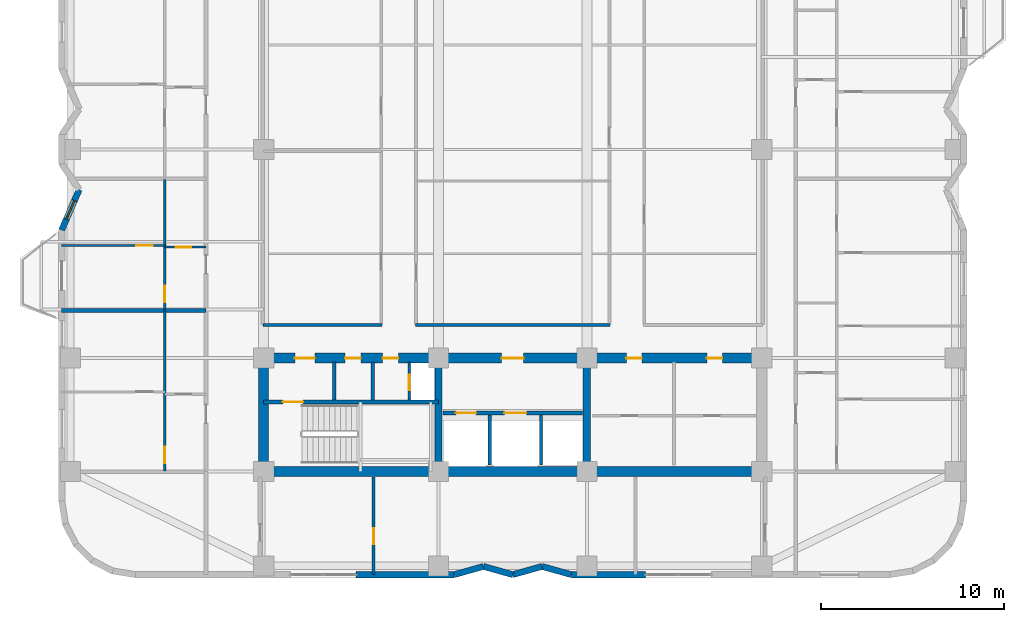
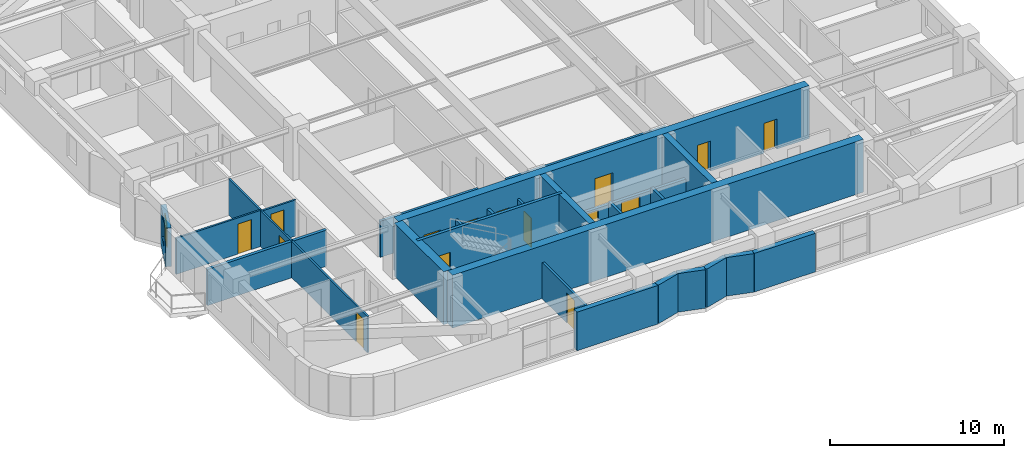
# One storey, part 8 of 15: 27 walls, 15 doors, 1 window, 16 openings.
"""IFC4 building model written with IfcOpenShell, lengths in metres."""

from ifc_helpers import new_model, si_unit, direction, frame, frame_2d, origin, place, context, subcontext, project, spatial, rectangle, extrude, material, layer, layer_set, type_object, element, fill, save


model = new_model("IFC4")

# Units and contexts
model_context = context("Model", 3, precision=1e-05, world=origin(), true_north=direction((0.0, 1.0)))
body_context = subcontext(model_context, "Body", "Model", "MODEL_VIEW")
ifc_project = project(units=[si_unit("LENGTHUNIT", "METRE"), si_unit("AREAUNIT", "SQUARE_METRE"), si_unit("VOLUMEUNIT", "CUBIC_METRE"), si_unit("PLANEANGLEUNIT", "RADIAN"), si_unit("MASSUNIT", "GRAM", prefix="KILO")], contexts=[model_context])

# Site, building, storey
site_placement = place(None, origin())
site = spatial("IfcSite", under=ifc_project, at=site_placement, CompositionType="ELEMENT")
building_placement = place(site_placement, origin())
building = spatial("IfcBuilding", under=site, at=building_placement, Name="Svetorya Sky Lyceum", CompositionType="ELEMENT")
storey_placement = place(building_placement, frame((0.0, 0.0, 99.39990234375)))
storey = spatial("IfcBuildingStorey", under=building, at=storey_placement, Name="L24", CompositionType="ELEMENT", Elevation=99.39990234375)

# Walls
ifc_material_1 = material(Name="Concrete C40/50", Category="concrete")
ifc_layer_1 = layer(ifc_material_1, 0.39990234375)
ifc_layer_set_1 = layer_set([ifc_layer_1], Name="Concrete C40/50")
wall_type_1 = type_object("IfcWallType", Name="WL-CORE-400", PredefinedType="SHEAR", material=ifc_layer_set_1)
for number, where, z_axis, x_axis, name in (
    (1, (35.14990234375, 10.875, 0.0), (0.0, 0.0, 1.0), (0.0, 1.0, 0.0), "L24 SC Internal Shear Web WEB1"),
    (2, (43.25, 10.875, 0.0), (0.0, 0.0, 1.0), (0.0, 1.0, 0.0), "L24 SC Internal Shear Web WEB2"),
):
    element("IfcWall", number, at=place(storey_placement, frame(where, z_axis=z_axis, x_axis=x_axis)), inside=storey, type_object=wall_type_1, Name=name, PredefinedType="SHEAR", context=body_context, shape_type="SweptSolid", body=[
        extrude(rectangle(XDim=5.64990234375, YDim=0.39990234375, at=frame_2d((2.824951171875, 0.0))), origin(), (0.0, 0.0, 1.0), 3.7001953125),
    ])
ifc_material_2 = material(Name="Concrete C60/75", Category="concrete")
ifc_layer_2 = layer(ifc_material_2, 0.550048828125)
ifc_layer_set_2 = layer_set([ifc_layer_2], Name="Concrete C60/75")
wall_type_2 = type_object("IfcWallType", Name="WL-CORE-550", PredefinedType="SHEAR", material=ifc_layer_set_2)
wall_1_placement = place(storey_placement, frame((52.800048828125, 10.60009765625, 0.0), z_axis=(0.0, 0.0, 1.0), x_axis=(-1.0, 0.0, 0.0)))
element("IfcWall", 3, at=wall_1_placement, inside=storey, type_object=wall_type_2, Name="L24 SC Outer Core Shear Wall", PredefinedType="SHEAR", context=body_context, shape_type="SweptSolid", body=[
    extrude(rectangle(XDim=27.199951171875, YDim=0.550048828125, at=frame_2d((13.60009765625, 0.0))), origin(), (0.0, 0.0, 1.0), 3.7001953125),
])
wall_2_placement = place(storey_placement, frame((25.60009765625, 10.875, 0.0), z_axis=(0.0, 0.0, 1.0), x_axis=(0.0, 1.0, 0.0)))
element("IfcWall", 4, at=wall_2_placement, inside=storey, type_object=wall_type_2, Name="L24 SC West Core Shear Wall", PredefinedType="SHEAR", context=body_context, shape_type="SweptSolid", body=[
    extrude(rectangle(XDim=5.64990234375, YDim=0.550048828125, at=frame_2d((2.824951171875, 0.0))), origin(), (0.0, 0.0, 1.0), 3.7001953125),
])

# Wall, openings, doors
wall_3_placement = place(storey_placement, frame((25.60009765625, 16.800048828125, 0.0), z_axis=(0.0, 0.0, 1.0), x_axis=(1.0, 0.0, 0.0)))
wall_3 = element("IfcWall", 5, at=wall_3_placement, inside=storey, type_object=wall_type_2, Name="L24 SC Inner Core Shear Wall", PredefinedType="SHEAR", context=body_context, shape_type="SweptSolid", body=[
    extrude(rectangle(XDim=27.199951171875, YDim=0.550048828125, at=frame_2d((13.60009765625, 0.0))), origin(), (0.0, 0.0, 1.0), 3.7001953125),
])
opening_1_placement = place(wall_3_placement, frame((1.699951171875, 0.0, 0.0)))
opening_1 = element("IfcOpeningElement", 6, at=opening_1_placement, cuts=wall_3, Name="Opening D-ST1", PredefinedType="OPENING", context=body_context, shape_type="SweptSolid", body=[
    extrude(rectangle(XDim=1.10009765625, YDim=2.14990234375, at=frame_2d((0.550048828125, 1.074951171875))), frame((0.0, 0.284912109375, 0.0), z_axis=(0.0, -1.0, 0.0), x_axis=(1.0, 0.0, 0.0)), (0.0, 0.0, 1.0), 0.570068359375),
])
opening_2_placement = place(wall_3_placement, frame((4.449951171875, 0.0, 0.0)))
opening_2 = element("IfcOpeningElement", 7, at=opening_2_placement, cuts=wall_3, Name="Opening D-CWC1", PredefinedType="OPENING", context=body_context, shape_type="SweptSolid", body=[
    extrude(rectangle(XDim=0.85009765625, YDim=2.10009765625, at=frame_2d((0.425048828125, 1.050048828125))), frame((0.0, 0.284912109375, 0.0), z_axis=(0.0, -1.0, 0.0), x_axis=(1.0, 0.0, 0.0)), (0.0, 0.0, 1.0), 0.570068359375),
])
opening_3_placement = place(wall_3_placement, frame((6.5, 0.0, 0.0)))
opening_3 = element("IfcOpeningElement", 8, at=opening_3_placement, cuts=wall_3, Name="Opening D-CWC1", PredefinedType="OPENING", context=body_context, shape_type="SweptSolid", body=[
    extrude(rectangle(XDim=0.85009765625, YDim=2.10009765625, at=frame_2d((0.425048828125, 1.050048828125))), frame((0.0, 0.284912109375, 0.0), z_axis=(0.0, -1.0, 0.0), x_axis=(1.0, 0.0, 0.0)), (0.0, 0.0, 1.0), 0.570068359375),
])
opening_4_placement = place(wall_3_placement, frame((13.0, 0.0, 0.0)))
opening_4 = element("IfcOpeningElement", 9, at=opening_4_placement, cuts=wall_3, Name="Opening D-FL1", PredefinedType="OPENING", context=body_context, shape_type="SweptSolid", body=[
    extrude(rectangle(XDim=1.199951171875, YDim=2.14990234375, at=frame_2d((0.60009765625, 1.074951171875))), frame((0.0, 0.284912109375, 0.0), z_axis=(0.0, -1.0, 0.0), x_axis=(1.0, 0.0, 0.0)), (0.0, 0.0, 1.0), 0.570068359375),
])
opening_5_placement = place(wall_3_placement, frame((19.800048828125, 0.0, 0.0)))
opening_5 = element("IfcOpeningElement", 10, at=opening_5_placement, cuts=wall_3, Name="Opening D-CWC1", PredefinedType="OPENING", context=body_context, shape_type="SweptSolid", body=[
    extrude(rectangle(XDim=0.85009765625, YDim=2.10009765625, at=frame_2d((0.425048828125, 1.050048828125))), frame((0.0, 0.284912109375, 0.0), z_axis=(0.0, -1.0, 0.0), x_axis=(1.0, 0.0, 0.0)), (0.0, 0.0, 1.0), 0.570068359375),
])
opening_6_placement = place(wall_3_placement, frame((24.199951171875, 0.0, 0.0)))
opening_6 = element("IfcOpeningElement", 11, at=opening_6_placement, cuts=wall_3, Name="Opening D-CWC1", PredefinedType="OPENING", context=body_context, shape_type="SweptSolid", body=[
    extrude(rectangle(XDim=0.85009765625, YDim=2.10009765625, at=frame_2d((0.425048828125, 1.050048828125))), frame((0.0, 0.284912109375, 0.0), z_axis=(0.0, -1.0, 0.0), x_axis=(1.0, 0.0, 0.0)), (0.0, 0.0, 1.0), 0.570068359375),
])
ifc_material_3 = material(Name="Fire-rated galvanized steel core service closet door", Category="steel")
door_type_1 = type_object("IfcDoorType", Name="DR-CWET-850", OperationType="SINGLE_SWING_LEFT", PredefinedType="DOOR", material=ifc_material_3)
door_1_placement = place(opening_2_placement, origin())
door_1 = element("IfcDoor", 12, at=door_1_placement, inside=storey, type_object=door_type_1, Name="L24 South Mop Closet Door", OperationType="SINGLE_SWING_LEFT", OverallHeight=2.10009765625, OverallWidth=0.85009765625, PredefinedType="DOOR", context=body_context, shape_type="SweptSolid", body=[
    extrude(rectangle(XDim=0.85009765625, YDim=2.10009765625, at=frame_2d((0.425048828125, 1.050048828125))), frame((0.0, 0.02490234375, 0.0), z_axis=(0.0, -1.0, 0.0), x_axis=(1.0, 0.0, 0.0)), (0.0, 0.0, 1.0), 0.050048828125),
])
fill(opening_2, door_1)
door_2_placement = place(opening_3_placement, origin())
door_2 = element("IfcDoor", 13, at=door_2_placement, inside=storey, type_object=door_type_1, Name="L24 South West WC Door", OperationType="SINGLE_SWING_RIGHT", OverallHeight=2.10009765625, OverallWidth=0.85009765625, PredefinedType="DOOR", context=body_context, shape_type="SweptSolid", body=[
    extrude(rectangle(XDim=0.85009765625, YDim=2.10009765625, at=frame_2d((0.425048828125, 1.050048828125))), frame((0.0, 0.02490234375, 0.0), z_axis=(0.0, -1.0, 0.0), x_axis=(1.0, 0.0, 0.0)), (0.0, 0.0, 1.0), 0.050048828125),
])
fill(opening_3, door_2)
door_3_placement = place(opening_5_placement, origin())
door_3 = element("IfcDoor", 14, at=door_3_placement, inside=storey, type_object=door_type_1, Name="L24 Housekeeping Door", OperationType="SINGLE_SWING_LEFT", OverallHeight=2.10009765625, OverallWidth=0.85009765625, PredefinedType="DOOR", context=body_context, shape_type="SweptSolid", body=[
    extrude(rectangle(XDim=0.85009765625, YDim=2.10009765625, at=frame_2d((0.425048828125, 1.050048828125))), frame((0.0, 0.02490234375, 0.0), z_axis=(0.0, -1.0, 0.0), x_axis=(1.0, 0.0, 0.0)), (0.0, 0.0, 1.0), 0.050048828125),
])
fill(opening_5, door_3)
door_4_placement = place(opening_6_placement, origin())
door_4 = element("IfcDoor", 15, at=door_4_placement, inside=storey, type_object=door_type_1, Name="L24 South WC Door", OperationType="SINGLE_SWING_RIGHT", OverallHeight=2.10009765625, OverallWidth=0.85009765625, PredefinedType="DOOR", context=body_context, shape_type="SweptSolid", body=[
    extrude(rectangle(XDim=0.85009765625, YDim=2.10009765625, at=frame_2d((0.425048828125, 1.050048828125))), frame((0.0, 0.02490234375, 0.0), z_axis=(0.0, -1.0, 0.0), x_axis=(1.0, 0.0, 0.0)), (0.0, 0.0, 1.0), 0.050048828125),
])
fill(opening_6, door_4)
ifc_material_4 = material(Name="Powder-coated insulated galvanized stair fire door")
door_type_2 = type_object("IfcDoorType", Name="DR-FIRE-1100", OperationType="SINGLE_SWING_LEFT", PredefinedType="DOOR", material=ifc_material_4)
door_5_placement = place(opening_1_placement, origin())
door_5 = element("IfcDoor", 16, at=door_5_placement, inside=storey, type_object=door_type_2, Name="L24 South Stair Airlock Door", OperationType="SINGLE_SWING_RIGHT", OverallHeight=2.14990234375, OverallWidth=1.10009765625, PredefinedType="DOOR", context=body_context, shape_type="SweptSolid", body=[
    extrude(rectangle(XDim=1.10009765625, YDim=2.14990234375, at=frame_2d((0.550048828125, 1.074951171875))), frame((0.0, 0.02490234375, 0.0), z_axis=(0.0, -1.0, 0.0), x_axis=(1.0, 0.0, 0.0)), (0.0, 0.0, 1.0), 0.050048828125),
])
fill(opening_1, door_5)
ifc_material_5 = material(Name="Powder-coated insulated galvanized fire door")
door_type_3 = type_object("IfcDoorType", Name="DR-FIRE-1200", OperationType="SINGLE_SWING_LEFT", PredefinedType="DOOR", material=ifc_material_5)
door_6_placement = place(opening_4_placement, origin())
door_6 = element("IfcDoor", 17, at=door_6_placement, inside=storey, type_object=door_type_3, Name="L24 South Firefighting Lift Lobby Door", OperationType="SINGLE_SWING_LEFT", OverallHeight=2.14990234375, OverallWidth=1.199951171875, PredefinedType="DOOR", context=body_context, shape_type="SweptSolid", body=[
    extrude(rectangle(XDim=1.199951171875, YDim=2.14990234375, at=frame_2d((0.60009765625, 1.074951171875))), frame((0.0, 0.02490234375, 0.0), z_axis=(0.0, -1.0, 0.0), x_axis=(1.0, 0.0, 0.0)), (0.0, 0.0, 1.0), 0.050048828125),
])
fill(opening_4, door_6)

# Walls
ifc_material_6 = material(Name="Putilovo limestone rainscreen on autoclaved cellular masonry", Category="masonry")
ifc_layer_3 = layer(ifc_material_6, 0.340087890625)
ifc_layer_set_3 = layer_set([ifc_layer_3], Name="Putilovo limestone rainscreen on autoclaved cellular masonry")
wall_type_3 = type_object("IfcWallType", Name="WL-EXT-340", PredefinedType="SOLIDWALL", material=ifc_layer_set_3)
wall_4_placement = place(storey_placement, frame((30.64990234375, 4.969970703125, 0.0), z_axis=(0.0, 0.0, 1.0), x_axis=(1.0, 0.0, 0.0)))
element("IfcWall", 18, at=wall_4_placement, inside=storey, type_object=wall_type_3, Name="L24 Limestone Exterior Wall 6B", PredefinedType="SOLIDWALL", context=body_context, shape_type="SweptSolid", body=[
    extrude(rectangle(XDim=5.35009765625, YDim=0.340087890625, at=frame_2d((2.675048828125, 0.0))), origin(), (0.0, 0.0, 1.0), 2.7001953125),
])
wall_5_placement = place(storey_placement, frame((36.0, 4.969970703125, 0.0), z_axis=(0.0, 0.0, 1.0), x_axis=(0.962662902433, 0.270703040766, 0.0)))
element("IfcWall", 19, at=wall_5_placement, inside=storey, type_object=wall_type_3, Name="L24 Limestone Exterior Wall 7M", PredefinedType="SOLIDWALL", context=body_context, shape_type="SweptSolid", body=[
    extrude(rectangle(XDim=1.662109375, YDim=0.340087890625, at=frame_2d((0.8310546875, 0.0))), origin(), (0.0, 0.0, 1.0), 2.7001953125),
])
wall_6_placement = place(storey_placement, frame((37.60009765625, 5.419921875, 0.0), z_axis=(0.0, 0.0, 1.0), x_axis=(0.962652136636, -0.270741322725, 0.0)))
element("IfcWall", 20, at=wall_6_placement, inside=storey, type_object=wall_type_3, Name="L24 Limestone Exterior Wall 8M", PredefinedType="SOLIDWALL", context=body_context, shape_type="SweptSolid", body=[
    extrude(rectangle(XDim=1.661865234375, YDim=0.340087890625, at=frame_2d((0.8310546875, 0.0))), origin(), (0.0, 0.0, 1.0), 2.7001953125),
])
wall_7_placement = place(storey_placement, frame((39.199951171875, 4.969970703125, 0.0), z_axis=(0.0, 0.0, 1.0), x_axis=(0.962662902433, 0.270703040766, 0.0)))
element("IfcWall", 21, at=wall_7_placement, inside=storey, type_object=wall_type_3, Name="L24 Limestone Exterior Wall 9M", PredefinedType="SOLIDWALL", context=body_context, shape_type="SweptSolid", body=[
    extrude(rectangle(XDim=1.662109375, YDim=0.340087890625, at=frame_2d((0.8310546875, 0.0))), origin(), (0.0, 0.0, 1.0), 2.7001953125),
])
wall_8_placement = place(storey_placement, frame((40.800048828125, 5.419921875, 0.0), z_axis=(0.0, 0.0, 1.0), x_axis=(0.962652136636, -0.270741322725, 0.0)))
element("IfcWall", 22, at=wall_8_placement, inside=storey, type_object=wall_type_3, Name="L24 Limestone Exterior Wall 10M", PredefinedType="SOLIDWALL", context=body_context, shape_type="SweptSolid", body=[
    extrude(rectangle(XDim=1.661865234375, YDim=0.340087890625, at=frame_2d((0.8310546875, 0.0))), origin(), (0.0, 0.0, 1.0), 2.7001953125),
])
wall_9_placement = place(storey_placement, frame((42.39990234375, 4.969970703125, 0.0), z_axis=(0.0, 0.0, 1.0), x_axis=(1.0, 0.0, 0.0)))
element("IfcWall", 23, at=wall_9_placement, inside=storey, type_object=wall_type_3, Name="L24 Limestone Exterior Wall 11A", PredefinedType="SOLIDWALL", context=body_context, shape_type="SweptSolid", body=[
    extrude(rectangle(XDim=4.050048828125, YDim=0.340087890625, at=frame_2d((2.02490234375, 0.0))), origin(), (0.0, 0.0, 1.0), 2.7001953125),
])

# Wall, opening, window
wall_10_placement = place(storey_placement, frame((15.52001953125, 26.0, 0.0), z_axis=(0.0, 0.0, 1.0), x_axis=(-0.396426258231, -0.918066567186, 0.0)))
wall_10 = element("IfcWall", 24, at=wall_10_placement, inside=storey, type_object=wall_type_3, Name="L24 Limestone Exterior Wall 45M", PredefinedType="SOLIDWALL", context=body_context, shape_type="SweptSolid", body=[
    extrude(rectangle(XDim=2.396240234375, YDim=0.340087890625, at=frame_2d((1.1982421875, 0.0))), origin(), (0.0, 0.0, 1.0), 2.7001953125),
])
opening_7_placement = place(wall_10_placement, frame((0.648193359375, 0.0, 0.889892578125)))
opening_7 = element("IfcOpeningElement", 25, at=opening_7_placement, cuts=wall_10, Name="Opening W-R3", PredefinedType="OPENING", context=body_context, shape_type="SweptSolid", body=[
    extrude(rectangle(XDim=1.10009765625, YDim=1.64990234375, at=frame_2d((0.550048828125, 0.824951171875))), frame((0.0, 0.179931640625, 0.0), z_axis=(0.0, -1.0, 0.0), x_axis=(1.0, 0.0, 0.0)), (0.0, 0.0, 1.0), 0.360107421875),
])
ifc_material_7 = material(Name="Thermally broken aluminium frame with triple low-E glazing", Category="aluminium")
window_type = type_object("IfcWindowType", Name="WN-RES-110", PartitioningType="SINGLE_PANEL", PredefinedType="WINDOW", material=ifc_material_7)
window_placement = place(opening_7_placement, origin())
window = element("IfcWindow", 26, at=window_placement, inside=storey, type_object=window_type, Name="L24 Facade Window W-R3.45M.1", OverallHeight=1.64990234375, OverallWidth=1.10009765625, PartitioningType="SINGLE_PANEL", PredefinedType="WINDOW", context=body_context, shape_type="SweptSolid", body=[
    extrude(rectangle(XDim=1.10009765625, YDim=1.64990234375, at=frame_2d((0.550048828125, 0.824951171875))), frame((0.0, 0.030029296875, 0.0), z_axis=(0.0, -1.0, 0.0), x_axis=(1.0, 0.0, 0.0)), (0.0, 0.0, 1.0), 0.06005859375),
])
fill(opening_7, window)

# Wall, opening, door
ifc_material_8 = material(Name="Twin-stud galvanized framing with double fireboard", Category="gypsum")
ifc_layer_4 = layer(ifc_material_8, 0.1201171875)
ifc_layer_set_4 = layer_set([ifc_layer_4], Name="Twin-stud galvanized framing with double fireboard")
wall_type_4 = type_object("IfcWallType", Name="WL-PART-120", PredefinedType="PARTITIONING", material=ifc_layer_set_4)
wall_11_placement = place(storey_placement, frame((20.199951171875, 10.639892578125, 0.0), z_axis=(0.0, 0.0, 1.0), x_axis=(0.0, 1.0, 0.0)))
wall_11 = element("IfcWall", 27, at=wall_11_placement, inside=storey, type_object=wall_type_4, Name="L24 Interior Partition W1-WV", PredefinedType="PARTITIONING", context=body_context, shape_type="SweptSolid", body=[
    extrude(rectangle(XDim=8.72021484375, YDim=0.1201171875, at=frame_2d((4.360107421875, 0.0))), origin(), (0.0, 0.0, 1.0), 2.530029296875),
])
opening_8_placement = place(wall_11_placement, frame((0.409912109375, 0.0, 0.0)))
opening_8 = element("IfcOpeningElement", 28, at=opening_8_placement, cuts=wall_11, Name="Opening D-RM1", PredefinedType="OPENING", context=body_context, shape_type="SweptSolid", body=[
    extrude(rectangle(XDim=0.89990234375, YDim=2.10009765625, at=frame_2d((0.449951171875, 1.050048828125))), frame((0.0, 0.070068359375, 0.0), z_axis=(0.0, -1.0, 0.0), x_axis=(1.0, 0.0, 0.0)), (0.0, 0.0, 1.0), 0.14013671875),
])
ifc_material_9 = material(Name="Lacquered birch veneer internal door")
door_type_4 = type_object("IfcDoorType", Name="DR-INT-900", OperationType="SINGLE_SWING_LEFT", PredefinedType="DOOR", material=ifc_material_9)
door_7_placement = place(opening_8_placement, origin())
door_7 = element("IfcDoor", 29, at=door_7_placement, inside=storey, type_object=door_type_4, Name="Apartment W1 Living Door", OperationType="SINGLE_SWING_RIGHT", OverallHeight=2.10009765625, OverallWidth=0.89990234375, PredefinedType="DOOR", context=body_context, shape_type="SweptSolid", body=[
    extrude(rectangle(XDim=0.89990234375, YDim=2.10009765625, at=frame_2d((0.449951171875, 1.050048828125))), frame((0.0, 0.02490234375, 0.0), z_axis=(0.0, -1.0, 0.0), x_axis=(1.0, 0.0, 0.0)), (0.0, 0.0, 1.0), 0.050048828125),
])
fill(opening_8, door_7)

wall_12_placement = place(storey_placement, frame((20.199951171875, 22.860107421875, 0.0), z_axis=(0.0, 0.0, 1.0), x_axis=(1.0, 0.0, 0.0)))
wall_12 = element("IfcWall", 30, at=wall_12_placement, inside=storey, type_object=wall_type_4, Name="L24 Interior Partition W2-WH1", PredefinedType="PARTITIONING", context=body_context, shape_type="SweptSolid", body=[
    extrude(rectangle(XDim=2.25, YDim=0.1201171875, at=frame_2d((1.125, 0.0))), origin(), (0.0, 0.0, 1.0), 2.530029296875),
])
opening_9_placement = place(wall_12_placement, frame((0.60009765625, 0.0, 0.0)))
opening_9 = element("IfcOpeningElement", 31, at=opening_9_placement, cuts=wall_12, Name="Opening D-BT1", PredefinedType="OPENING", context=body_context, shape_type="SweptSolid", body=[
    extrude(rectangle(XDim=0.85009765625, YDim=2.10009765625, at=frame_2d((0.425048828125, 1.050048828125))), frame((0.0, 0.070068359375, 0.0), z_axis=(0.0, -1.0, 0.0), x_axis=(1.0, 0.0, 0.0)), (0.0, 0.0, 1.0), 0.14013671875),
])
ifc_material_10 = material(Name="Moisture-resistant laminate bathroom door")
door_type_5 = type_object("IfcDoorType", Name="DR-WET-850", OperationType="SINGLE_SWING_LEFT", PredefinedType="DOOR", material=ifc_material_10)
door_8_placement = place(opening_9_placement, origin())
door_8 = element("IfcDoor", 32, at=door_8_placement, inside=storey, type_object=door_type_5, Name="Apartment W2 Bathroom Door", OperationType="SINGLE_SWING_RIGHT", OverallHeight=2.10009765625, OverallWidth=0.85009765625, PredefinedType="DOOR", context=body_context, shape_type="SweptSolid", body=[
    extrude(rectangle(XDim=0.85009765625, YDim=2.10009765625, at=frame_2d((0.425048828125, 1.050048828125))), frame((0.0, 0.02490234375, 0.0), z_axis=(0.0, -1.0, 0.0), x_axis=(1.0, 0.0, 0.0)), (0.0, 0.0, 1.0), 0.050048828125),
])
fill(opening_9, door_8)

wall_13_placement = place(storey_placement, frame((14.570068359375, 22.949951171875, 0.0), z_axis=(0.0, 0.0, 1.0), x_axis=(1.0, 0.0, 0.0)))
wall_13 = element("IfcWall", 33, at=wall_13_placement, inside=storey, type_object=wall_type_4, Name="L24 Interior Partition W2-WL1", PredefinedType="PARTITIONING", context=body_context, shape_type="SweptSolid", body=[
    extrude(rectangle(XDim=5.6298828125, YDim=0.1201171875, at=frame_2d((2.81494140625, 0.0))), origin(), (0.0, 0.0, 1.0), 2.530029296875),
])
opening_10_placement = place(wall_13_placement, frame((4.080078125, 0.0, 0.0)))
opening_10 = element("IfcOpeningElement", 34, at=opening_10_placement, cuts=wall_13, Name="Opening D-RM1", PredefinedType="OPENING", context=body_context, shape_type="SweptSolid", body=[
    extrude(rectangle(XDim=0.89990234375, YDim=2.10009765625, at=frame_2d((0.449951171875, 1.050048828125))), frame((0.0, 0.070068359375, 0.0), z_axis=(0.0, -1.0, 0.0), x_axis=(1.0, 0.0, 0.0)), (0.0, 0.0, 1.0), 0.14013671875),
])
door_9_placement = place(opening_10_placement, origin())
door_9 = element("IfcDoor", 35, at=door_9_placement, inside=storey, type_object=door_type_4, Name="Apartment W2 Bedroom 1 Door", OperationType="SINGLE_SWING_RIGHT", OverallHeight=2.10009765625, OverallWidth=0.89990234375, PredefinedType="DOOR", context=body_context, shape_type="SweptSolid", body=[
    extrude(rectangle(XDim=0.89990234375, YDim=2.10009765625, at=frame_2d((0.449951171875, 1.050048828125))), frame((0.0, 0.02490234375, 0.0), z_axis=(0.0, -1.0, 0.0), x_axis=(1.0, 0.0, 0.0)), (0.0, 0.0, 1.0), 0.050048828125),
])
fill(opening_10, door_9)

wall_14_placement = place(storey_placement, frame((20.199951171875, 19.43994140625, 0.0), z_axis=(0.0, 0.0, 1.0), x_axis=(0.0, 1.0, 0.0)))
wall_14 = element("IfcWall", 36, at=wall_14_placement, inside=storey, type_object=wall_type_4, Name="L24 Interior Partition W2-WV", PredefinedType="PARTITIONING", context=body_context, shape_type="SweptSolid", body=[
    extrude(rectangle(XDim=7.1201171875, YDim=0.1201171875, at=frame_2d((3.56005859375, 0.0))), origin(), (0.0, 0.0, 1.0), 2.530029296875),
])
opening_11_placement = place(wall_14_placement, frame((0.409912109375, 0.0, 0.0)))
opening_11 = element("IfcOpeningElement", 37, at=opening_11_placement, cuts=wall_14, Name="Opening D-RM1", PredefinedType="OPENING", context=body_context, shape_type="SweptSolid", body=[
    extrude(rectangle(XDim=0.89990234375, YDim=2.10009765625, at=frame_2d((0.449951171875, 1.050048828125))), frame((0.0, 0.070068359375, 0.0), z_axis=(0.0, -1.0, 0.0), x_axis=(1.0, 0.0, 0.0)), (0.0, 0.0, 1.0), 0.14013671875),
])
door_10_placement = place(opening_11_placement, origin())
door_10 = element("IfcDoor", 38, at=door_10_placement, inside=storey, type_object=door_type_4, Name="Apartment W2 Living Door", OperationType="SINGLE_SWING_LEFT", OverallHeight=2.10009765625, OverallWidth=0.89990234375, PredefinedType="DOOR", context=body_context, shape_type="SweptSolid", body=[
    extrude(rectangle(XDim=0.89990234375, YDim=2.10009765625, at=frame_2d((0.449951171875, 1.050048828125))), frame((0.0, 0.02490234375, 0.0), z_axis=(0.0, -1.0, 0.0), x_axis=(1.0, 0.0, 0.0)), (0.0, 0.0, 1.0), 0.050048828125),
])
fill(opening_11, door_10)

ifc_material_11 = material(Name="Autoclaved cellular masonry blockwork with acoustic render", Category="masonry")
ifc_layer_5 = layer(ifc_material_11, 0.14990234375)
ifc_layer_set_5 = layer_set([ifc_layer_5], Name="Autoclaved cellular masonry blockwork with acoustic render")
wall_type_5 = type_object("IfcWallType", Name="WL-PART-150", PredefinedType="PARTITIONING", material=ifc_layer_set_5)
wall_15_placement = place(storey_placement, frame((33.550048828125, 14.5, 0.0), z_axis=(0.0, 0.0, 1.0), x_axis=(0.0, 1.0, 0.0)))
wall_15 = element("IfcWall", 39, at=wall_15_placement, inside=storey, type_object=wall_type_5, Name="L24 Interior Partition SC-SWD3", PredefinedType="PARTITIONING", context=body_context, shape_type="SweptSolid", body=[
    extrude(rectangle(XDim=2.080078125, YDim=0.14990234375, at=frame_2d((1.0400390625, 0.0))), origin(), (0.0, 0.0, 1.0), 2.530029296875),
])
opening_12_placement = place(wall_15_placement, frame((0.550048828125, 0.0, 0.0)))
opening_12 = element("IfcOpeningElement", 40, at=opening_12_placement, cuts=wall_15, Name="Opening D-SH1", PredefinedType="OPENING", context=body_context, shape_type="SweptSolid", body=[
    extrude(rectangle(XDim=0.85009765625, YDim=2.050048828125, at=frame_2d((0.425048828125, 1.02490234375))), frame((0.0, 0.0849609375, 0.0), z_axis=(0.0, -1.0, 0.0), x_axis=(1.0, 0.0, 0.0)), (0.0, 0.0, 1.0), 0.169921875),
])
ifc_material_12 = material(Name="Insulated galvanized riser inspection fire door")
door_type_6 = type_object("IfcDoorType", Name="DR-SHFT-850", OperationType="SINGLE_SWING_LEFT", PredefinedType="TRAPDOOR", material=ifc_material_12)
door_11_placement = place(opening_12_placement, origin())
door_11 = element("IfcDoor", 41, at=door_11_placement, inside=storey, type_object=door_type_6, Name="L24 South Riser Access Door", OperationType="SINGLE_SWING_RIGHT", OverallHeight=2.050048828125, OverallWidth=0.85009765625, PredefinedType="TRAPDOOR", context=body_context, shape_type="SweptSolid", body=[
    extrude(rectangle(XDim=0.85009765625, YDim=2.050048828125, at=frame_2d((0.425048828125, 1.02490234375))), frame((0.0, 0.02490234375, 0.0), z_axis=(0.0, -1.0, 0.0), x_axis=(1.0, 0.0, 0.0)), (0.0, 0.0, 1.0), 0.050048828125),
])
fill(opening_12, door_11)

wall_16_placement = place(storey_placement, frame((31.60009765625, 4.969970703125, 0.0), z_axis=(0.0, 0.0, 1.0), x_axis=(0.0, 1.0, 0.0)))
wall_16 = element("IfcWall", 42, at=wall_16_placement, inside=storey, type_object=wall_type_5, Name="L24 Interior Partition S-D1", PredefinedType="PARTITIONING", context=body_context, shape_type="SweptSolid", body=[
    extrude(rectangle(XDim=5.330078125, YDim=0.14990234375, at=frame_2d((2.6650390625, 0.0))), origin(), (0.0, 0.0, 1.0), 2.530029296875),
])
opening_13_placement = place(wall_16_placement, frame((1.64990234375, 0.0, 0.0)))
opening_13 = element("IfcOpeningElement", 43, at=opening_13_placement, cuts=wall_16, Name="Opening D-RM1", PredefinedType="OPENING", context=body_context, shape_type="SweptSolid", body=[
    extrude(rectangle(XDim=0.89990234375, YDim=2.10009765625, at=frame_2d((0.449951171875, 1.050048828125))), frame((0.0, 0.0849609375, 0.0), z_axis=(0.0, -1.0, 0.0), x_axis=(1.0, 0.0, 0.0)), (0.0, 0.0, 1.0), 0.169921875),
])
door_12_placement = place(opening_13_placement, origin())
door_12 = element("IfcDoor", 44, at=door_12_placement, inside=storey, type_object=door_type_4, Name="L24 South Store Door", OperationType="SINGLE_SWING_LEFT", OverallHeight=2.10009765625, OverallWidth=0.89990234375, PredefinedType="DOOR", context=body_context, shape_type="SweptSolid", body=[
    extrude(rectangle(XDim=0.89990234375, YDim=2.10009765625, at=frame_2d((0.449951171875, 1.050048828125))), frame((0.0, 0.02490234375, 0.0), z_axis=(0.0, -1.0, 0.0), x_axis=(1.0, 0.0, 0.0)), (0.0, 0.0, 1.0), 0.050048828125),
])
fill(opening_13, door_12)

# Walls
ifc_material_13 = material(Name="Autoclaved cellular masonry blockwork with fire render", Category="masonry")
ifc_layer_6 = layer(ifc_material_13, 0.175048828125)
ifc_layer_set_6 = layer_set([ifc_layer_6], Name="Autoclaved cellular masonry blockwork with fire render")
wall_type_6 = type_object("IfcWallType", Name="WL-PART-175", PredefinedType="PARTITIONING", material=ifc_layer_set_6)
for number, where, z_axis, x_axis, name in (
    (45, (29.449951171875, 14.5, 0.0), (0.0, 0.0, 1.0), (0.0, 1.0, 0.0), "L24 Interior Partition SC-SWD1"),
    (46, (31.550048828125, 14.5, 0.0), (0.0, 0.0, 1.0), (0.0, 1.0, 0.0), "L24 Interior Partition SC-SWD2"),
):
    element("IfcWall", number, at=place(storey_placement, frame(where, z_axis=z_axis, x_axis=x_axis)), inside=storey, type_object=wall_type_6, Name=name, PredefinedType="PARTITIONING", context=body_context, shape_type="SweptSolid", body=[
        extrude(rectangle(XDim=2.080078125, YDim=0.175048828125, at=frame_2d((1.0400390625, 0.0))), origin(), (0.0, 0.0, 1.0), 2.530029296875),
    ])
for number, where, z_axis, x_axis, name in (
    (47, (37.949951171875, 10.949951171875, 0.0), (0.0, 0.0, 1.0), (0.0, 1.0, 0.0), "L24 Interior Partition SC-SHD1"),
    (48, (40.75, 10.949951171875, 0.0), (0.0, 0.0, 1.0), (0.0, 1.0, 0.0), "L24 Interior Partition SC-SHD2"),
):
    element("IfcWall", number, at=place(storey_placement, frame(where, z_axis=z_axis, x_axis=x_axis)), inside=storey, type_object=wall_type_6, Name=name, PredefinedType="PARTITIONING", context=body_context, shape_type="SweptSolid", body=[
        extrude(rectangle(XDim=2.75, YDim=0.175048828125, at=frame_2d((1.375, 0.0))), origin(), (0.0, 0.0, 1.0), 2.530029296875),
    ])
wall_17_placement = place(storey_placement, frame((25.550048828125, 18.60009765625, 0.0), z_axis=(0.0, 0.0, 1.0), x_axis=(1.0, 0.0, 0.0)))
element("IfcWall", 49, at=wall_17_placement, inside=storey, type_object=wall_type_6, Name="L24 Interior Partition RL-CS-W", PredefinedType="PARTITIONING", context=body_context, shape_type="SweptSolid", body=[
    extrude(rectangle(XDim=6.5, YDim=0.175048828125, at=frame_2d((3.25, 0.0))), origin(), (0.0, 0.0, 1.0), 2.530029296875),
])
wall_18_placement = place(storey_placement, frame((33.89990234375, 18.60009765625, 0.0), z_axis=(0.0, 0.0, 1.0), x_axis=(1.0, 0.0, 0.0)))
element("IfcWall", 50, at=wall_18_placement, inside=storey, type_object=wall_type_6, Name="L24 Interior Partition RL-CS-M", PredefinedType="PARTITIONING", context=body_context, shape_type="SweptSolid", body=[
    extrude(rectangle(XDim=10.60009765625, YDim=0.175048828125, at=frame_2d((5.300048828125, 0.0))), origin(), (0.0, 0.0, 1.0), 2.530029296875),
])

# Wall, openings, doors
ifc_material_14 = material(Name="Autoclaved cellular masonry blockwork with gypsum plaster", Category="masonry")
ifc_layer_7 = layer(ifc_material_14, 0.199951171875)
ifc_layer_set_7 = layer_set([ifc_layer_7], Name="Autoclaved cellular masonry blockwork with gypsum plaster")
wall_type_7 = type_object("IfcWallType", Name="WL-PART-200", PredefinedType="PARTITIONING", material=ifc_layer_set_7)
wall_19_placement = place(storey_placement, frame((35.39990234375, 13.800048828125, 0.0), z_axis=(0.0, 0.0, 1.0), x_axis=(1.0, 0.0, 0.0)))
wall_19 = element("IfcWall", 51, at=wall_19_placement, inside=storey, type_object=wall_type_7, Name="L24 Interior Partition SC-FLW", PredefinedType="PARTITIONING", context=body_context, shape_type="SweptSolid", body=[
    extrude(rectangle(XDim=7.60009765625, YDim=0.199951171875, at=frame_2d((3.800048828125, 0.0))), origin(), (0.0, 0.0, 1.0), 2.300048828125),
])
opening_14_placement = place(wall_19_placement, frame((0.699951171875, 0.0, 0.0)))
opening_14 = element("IfcOpeningElement", 52, at=opening_14_placement, cuts=wall_19, Name="Opening LD-FL", PredefinedType="OPENING", context=body_context, shape_type="SweptSolid", body=[
    extrude(rectangle(XDim=1.10009765625, YDim=2.14990234375, at=frame_2d((0.550048828125, 1.074951171875))), frame((0.0, 0.10986328125, 0.0), z_axis=(0.0, -1.0, 0.0), x_axis=(1.0, 0.0, 0.0)), (0.0, 0.0, 1.0), 0.219970703125),
])
opening_15_placement = place(wall_19_placement, frame((3.35009765625, 0.0, 0.0)))
opening_15 = element("IfcOpeningElement", 53, at=opening_15_placement, cuts=wall_19, Name="Opening LD-SV", PredefinedType="OPENING", context=body_context, shape_type="SweptSolid", body=[
    extrude(rectangle(XDim=1.199951171875, YDim=2.14990234375, at=frame_2d((0.60009765625, 1.074951171875))), frame((0.0, 0.10986328125, 0.0), z_axis=(0.0, -1.0, 0.0), x_axis=(1.0, 0.0, 0.0)), (0.0, 0.0, 1.0), 0.219970703125),
])
ifc_material_15 = material(Name="Fire-rated stainless AISI 304 firefighting lift landing door")
door_type_7 = type_object("IfcDoorType", Name="DR-LIFT-1100", OperationType="SLIDING_TO_LEFT", PredefinedType="DOOR", material=ifc_material_15)
door_13_placement = place(opening_14_placement, origin())
door_13 = element("IfcDoor", 54, at=door_13_placement, inside=storey, type_object=door_type_7, Name="L24 Firefighting Lift FL2 Landing Door", OperationType="SLIDING_TO_LEFT", OverallHeight=2.14990234375, OverallWidth=1.10009765625, PredefinedType="DOOR", context=body_context, shape_type="SweptSolid", body=[
    extrude(rectangle(XDim=1.10009765625, YDim=2.14990234375, at=frame_2d((0.550048828125, 1.074951171875))), frame((0.0, 0.02490234375, 0.0), z_axis=(0.0, -1.0, 0.0), x_axis=(1.0, 0.0, 0.0)), (0.0, 0.0, 1.0), 0.050048828125),
])
fill(opening_14, door_13)
ifc_material_16 = material(Name="Brushed stainless AISI 304 telescopic lift landing door")
door_type_8 = type_object("IfcDoorType", Name="DR-LIFT-1200", OperationType="SLIDING_TO_LEFT", PredefinedType="DOOR", material=ifc_material_16)
door_14_placement = place(opening_15_placement, origin())
door_14 = element("IfcDoor", 55, at=door_14_placement, inside=storey, type_object=door_type_8, Name="L24 Service Lift SVL1 Landing Door", OperationType="SLIDING_TO_LEFT", OverallHeight=2.14990234375, OverallWidth=1.199951171875, PredefinedType="DOOR", context=body_context, shape_type="SweptSolid", body=[
    extrude(rectangle(XDim=1.199951171875, YDim=2.14990234375, at=frame_2d((0.60009765625, 1.074951171875))), frame((0.0, 0.02490234375, 0.0), z_axis=(0.0, -1.0, 0.0), x_axis=(1.0, 0.0, 0.0)), (0.0, 0.0, 1.0), 0.050048828125),
])
fill(opening_15, door_14)

# Wall
wall_20_placement = place(storey_placement, frame((14.570068359375, 19.39990234375, 0.0), z_axis=(0.0, 0.0, 1.0), x_axis=(1.0, 0.0, 0.0)))
element("IfcWall", 56, at=wall_20_placement, inside=storey, type_object=wall_type_7, Name="L24 Interior Partition W-PARTY-1", PredefinedType="PARTITIONING", context=body_context, shape_type="SweptSolid", body=[
    extrude(rectangle(XDim=7.8798828125, YDim=0.199951171875, at=frame_2d((3.93994140625, 0.0))), origin(), (0.0, 0.0, 1.0), 2.530029296875),
])

# Wall, opening, door
ifc_material_17 = material(Name="Concrete C50/60", Category="concrete")
ifc_layer_8 = layer(ifc_material_17, 0.199951171875)
ifc_layer_set_8 = layer_set([ifc_layer_8], Name="Concrete C50/60")
wall_type_8 = type_object("IfcWallType", Name="WL-SHW-200", PredefinedType="SHEAR", material=ifc_layer_set_8)
wall_21_placement = place(storey_placement, frame((25.60009765625, 14.39990234375, 0.0), z_axis=(0.0, 0.0, 1.0), x_axis=(1.0, 0.0, 0.0)))
wall_21 = element("IfcWall", 57, at=wall_21_placement, inside=storey, type_object=wall_type_8, Name="L24 Structural Stair Shaft Wall SC-STW", PredefinedType="SHEAR", context=body_context, shape_type="SweptSolid", body=[
    extrude(rectangle(XDim=9.5498046875, YDim=0.199951171875, at=frame_2d((4.77490234375, 0.0))), origin(), (0.0, 0.0, 1.0), 3.7001953125),
])
opening_16_placement = place(wall_21_placement, frame((1.050048828125, 0.0, 0.0)))
opening_16 = element("IfcOpeningElement", 58, at=opening_16_placement, cuts=wall_21, Name="Opening D-ST1", PredefinedType="OPENING", context=body_context, shape_type="SweptSolid", body=[
    extrude(rectangle(XDim=1.10009765625, YDim=2.14990234375, at=frame_2d((0.550048828125, 1.074951171875))), frame((0.0, 0.10986328125, 0.0), z_axis=(0.0, -1.0, 0.0), x_axis=(1.0, 0.0, 0.0)), (0.0, 0.0, 1.0), 0.219970703125),
])
door_15_placement = place(opening_16_placement, origin())
door_15 = element("IfcDoor", 59, at=door_15_placement, inside=storey, type_object=door_type_2, Name="L24 Stair ST-S Vestibule Fire Door", OperationType="SINGLE_SWING_LEFT", OverallHeight=2.14990234375, OverallWidth=1.10009765625, PredefinedType="DOOR", context=body_context, shape_type="SweptSolid", body=[
    extrude(rectangle(XDim=1.10009765625, YDim=2.14990234375, at=frame_2d((0.550048828125, 1.074951171875))), frame((0.0, 0.02490234375, 0.0), z_axis=(0.0, -1.0, 0.0), x_axis=(1.0, 0.0, 0.0)), (0.0, 0.0, 1.0), 0.050048828125),
])
fill(opening_16, door_15)

save(model, "model.ifc")
